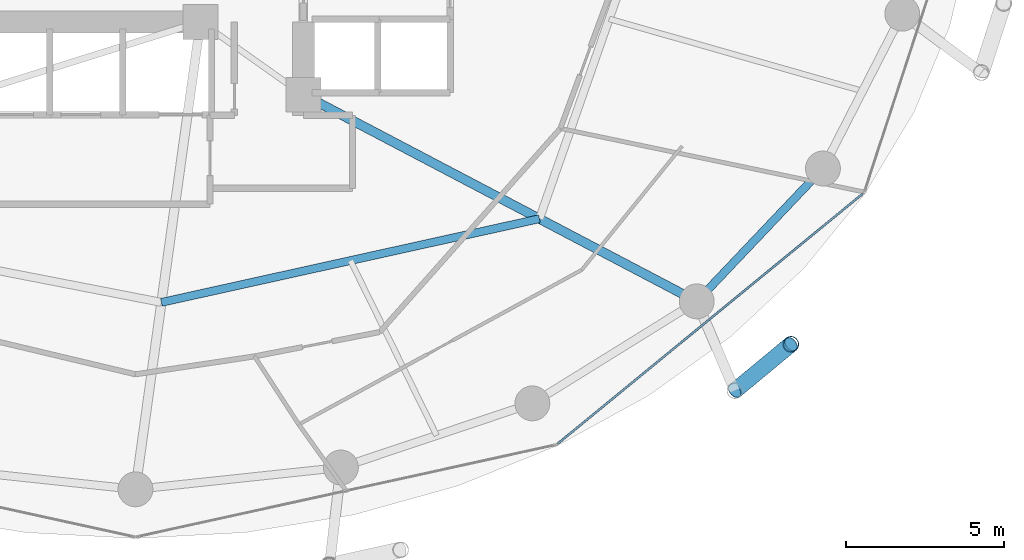
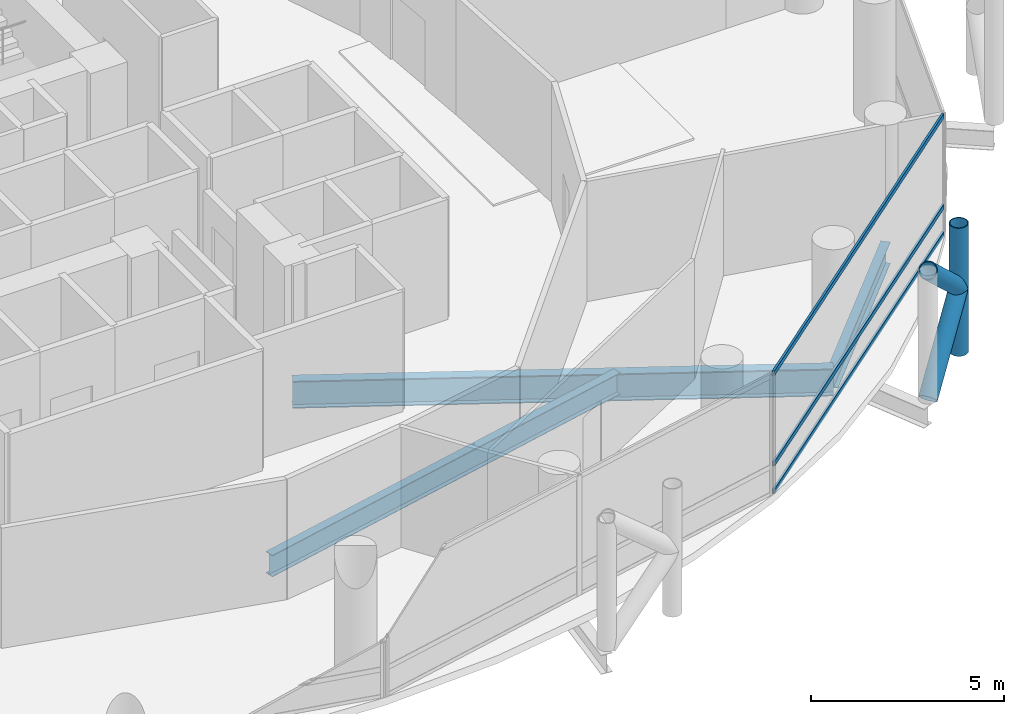
# One storey, part 9 of 24: 6 members, 3 beams, 1 element without a shape of its own.
"""IFC4 building model written with IfcOpenShell, lengths in metres."""

from ifc_helpers import new_model, si_unit, direction, frame, origin, origin_2d, place, context, subcontext, project, spatial, hollow_rectangle, hollow_circle, i_section, extrude, material, layer, layer_set, material_profile, profile_set, type_object, element, aggregate, save


model = new_model("IFC4")

# Units and contexts
model_context = context("Model", 3, precision=1e-05, world=origin(), true_north=direction((0.0, 1.0)))
body_context = subcontext(model_context, "Body", "Model", "MODEL_VIEW")
ifc_project = project(units=[si_unit("LENGTHUNIT", "METRE"), si_unit("AREAUNIT", "SQUARE_METRE"), si_unit("VOLUMEUNIT", "CUBIC_METRE"), si_unit("PLANEANGLEUNIT", "RADIAN"), si_unit("MASSUNIT", "GRAM", prefix="KILO")], contexts=[model_context])

# Site, building, storey
site_placement = place(None, origin())
site = spatial("IfcSite", under=ifc_project, at=site_placement, CompositionType="ELEMENT")
building_placement = place(site_placement, origin())
building = spatial("IfcBuilding", under=site, at=building_placement, Name="Nuhasar Tower", CompositionType="ELEMENT")
storey_placement = place(building_placement, frame((0.0, 0.0, 85.800048828125)))
storey = spatial("IfcBuildingStorey", under=building, at=storey_placement, Name="L20", CompositionType="ELEMENT", Elevation=85.800048828125)

# Beams
ifc_material_1 = material(Name="Steel S355", Category="steel")
ifc_material_profile_1 = material_profile(ifc_material_1, i_section(OverallWidth=0.25390625, OverallDepth=0.68408203125, WebThickness=0.012451171875, FlangeThickness=0.018798828125, at=origin_2d()), Name="W27X94")
ifc_profile_set_1 = profile_set([ifc_material_profile_1], Name="Steel S355")
beam_type_1 = type_object("IfcBeamType", Name="BM-INRING-W27X94", PredefinedType="BEAM", material=ifc_profile_set_1)
beam_1_placement = place(storey_placement, frame((39.820068359375, 12.449951171875, -0.592041015625), z_axis=(0.976386023343, 0.216033176665, 0.0), x_axis=(-0.216033176665, 0.976386023343, 0.0)))
element("IfcBeam", 1, at=beam_1_placement, inside=storey, type_object=beam_type_1, Name="L20 Inner Header Beam 02", PredefinedType="BEAM", context=body_context, shape_type="SweptSolid", body=[
    extrude(i_section(OverallWidth=0.25390625, OverallDepth=0.68408203125, WebThickness=0.012451171875, FlangeThickness=0.018798828125, at=origin_2d()), origin(), (0.0, 0.0, 1.0), 12.216552734375),
])
ifc_material_profile_2 = material_profile(ifc_material_1, i_section(OverallWidth=0.2919921875, OverallDepth=0.85888671875, WebThickness=0.01708984375, FlangeThickness=0.031005859375, at=origin_2d()), Name="W33X169")
ifc_profile_set_2 = profile_set([ifc_material_profile_2], Name="Steel S355")
beam_type_2 = type_object("IfcBeamType", Name="BM-POD-W33X169", PredefinedType="BEAM", material=ifc_profile_set_2)
beam_2_placement = place(storey_placement, frame((44.300048828125, 19.0, -0.679931640625), z_axis=(0.885330348705, -0.464962550816, 0.0), x_axis=(0.464962550816, 0.885330348705, 0.0)))
element("IfcBeam", 2, at=beam_2_placement, inside=storey, type_object=beam_type_2, Name="L20 Radial Floor Girder 03", PredefinedType="BEAM", context=body_context, shape_type="SweptSolid", body=[
    extrude(i_section(OverallWidth=0.2919921875, OverallDepth=0.85888671875, WebThickness=0.01708984375, FlangeThickness=0.031005859375, at=origin_2d()), origin(), (0.0, 0.0, 1.0), 14.0205078125),
])
ifc_material_profile_3 = material_profile(ifc_material_1, i_section(OverallWidth=0.256103515625, OverallDepth=0.693115234375, WebThickness=0.014404296875, FlangeThickness=0.023681640625, at=origin_2d()), Name="W27X114")
ifc_profile_set_3 = profile_set([ifc_material_profile_3], Name="Steel S355")
beam_type_3 = type_object("IfcBeamType", Name="BM-RING-W27X114", PredefinedType="SPANDREL", material=ifc_profile_set_3)
beam_3_placement = place(storey_placement, frame((56.712890625, 12.48095703125, -0.59716796875), z_axis=(0.688459812429, 0.725274490569, 0.0), x_axis=(-0.725274490569, 0.688459812429, 0.0)))
element("IfcBeam", 3, at=beam_3_placement, inside=storey, type_object=beam_type_3, Name="L20 Perimeter Ring Spandrel 22", PredefinedType="SPANDREL", context=body_context, shape_type="SweptSolid", body=[
    extrude(i_section(OverallWidth=0.256103515625, OverallDepth=0.693115234375, WebThickness=0.014404296875, FlangeThickness=0.023681640625, at=origin_2d()), origin(), (0.0, 0.0, 1.0), 5.78271484375),
])

# Curtain wall, members
ifc_material_2 = material(Name="Aluminium 6063-T6", Category="aluminium")
ifc_layer = layer(ifc_material_2, 0.199951171875)
ifc_layer_set = layer_set([ifc_layer], Name="Aluminium 6063-T6")
curtain_wall_type = type_object("IfcCurtainWallType", Name="CW-Z1-OFF", PredefinedType="NOTDEFINED", material=ifc_layer_set)
curtain_wall_placement = place(storey_placement, origin())
curtain_wall = element("IfcCurtainWall", 4, at=curtain_wall_placement, inside=storey, type_object=curtain_wall_type, Name="L20 Unitised Curtain Wall 11", PredefinedType="NOTDEFINED")
ifc_material_profile_4 = material_profile(ifc_material_2, hollow_rectangle(XDim=0.06494140625, YDim=0.14990234375, WallThickness=0.00439453125, at=origin_2d()), Name="CWT-2")
ifc_profile_set_4 = profile_set([ifc_material_profile_4], Name="Aluminium 6063-T6")
member_type_1 = type_object("IfcMemberType", Name="CW-TRN-S2", PredefinedType="USERDEFINED", material=ifc_profile_set_4)
member_1_placement = place(storey_placement, frame((52.330322265625, 7.99609375, 0.032470703125), z_axis=(0.773531229158, 0.633758185365, 0.0), x_axis=(-0.633758185365, 0.773531229158, 0.0)))
member_1 = element("IfcMember", 5, at=member_1_placement, type_object=member_type_1, Name="CW-Z1 transom 1.1", ObjectType="TRANSOM", PredefinedType="USERDEFINED", context=body_context, shape_type="SweptSolid", body=[
    extrude(hollow_rectangle(XDim=0.06494140625, YDim=0.14990234375, WallThickness=0.00439453125, at=origin_2d()), origin(), (0.0, 0.0, 1.0), 12.438232421875),
])
member_2_placement = place(storey_placement, frame((52.330322265625, 7.99609375, 0.89990234375), z_axis=(0.773531229158, 0.633758185365, 0.0), x_axis=(-0.633758185365, 0.773531229158, 0.0)))
member_2 = element("IfcMember", 6, at=member_2_placement, type_object=member_type_1, Name="CW-Z1 transom 1.2", ObjectType="TRANSOM", PredefinedType="USERDEFINED", context=body_context, shape_type="SweptSolid", body=[
    extrude(hollow_rectangle(XDim=0.06494140625, YDim=0.14990234375, WallThickness=0.00439453125, at=origin_2d()), origin(), (0.0, 0.0, 1.0), 12.438232421875),
])
member_3_placement = place(storey_placement, frame((52.330322265625, 7.99609375, 3.767333984375), z_axis=(0.773531229158, 0.633758185365, 0.0), x_axis=(-0.633758185365, 0.773531229158, 0.0)))
member_3 = element("IfcMember", 7, at=member_3_placement, type_object=member_type_1, Name="CW-Z1 transom 1.3", ObjectType="TRANSOM", PredefinedType="USERDEFINED", context=body_context, shape_type="SweptSolid", body=[
    extrude(hollow_rectangle(XDim=0.06494140625, YDim=0.14990234375, WallThickness=0.00439453125, at=origin_2d()), origin(), (0.0, 0.0, 1.0), 12.438232421875),
])
aggregate(curtain_wall, [member_1, member_2, member_3])

# Members
ifc_material_3 = material(Name="Steel S460", Category="steel")
ifc_material_profile_5 = material_profile(ifc_material_3, hollow_circle(Radius=0.25390625, WallThickness=0.025390625, at=origin_2d()), Name="HSS508X25.4")
ifc_profile_set_5 = profile_set([ifc_material_profile_5], Name="Steel S460")
member_type_2 = type_object("IfcMemberType", Name="EXO-BRONZE-508", PredefinedType="BRACE", material=ifc_profile_set_5)
member_4_placement = place(storey_placement, frame((59.68505859375, 11.12890625, 0.0), z_axis=(0.0, 0.0, 1.0), x_axis=(1.0, 0.0, 0.0)))
element("IfcMember", 8, at=member_4_placement, inside=storey, type_object=member_type_2, Name="L20 Exoskeleton Chord Column EC-11B", PredefinedType="BRACE", context=body_context, shape_type="SweptSolid", body=[
    extrude(hollow_circle(Radius=0.25390625, WallThickness=0.025390625, at=origin_2d()), origin(), (0.0, 0.0, 1.0), 4.050048828125),
])
member_5_placement = place(storey_placement, frame((57.9130859375, 9.660888671875, 0.0), z_axis=(0.578101613167, 0.478937034992, 0.660619286251), x_axis=(-0.637969333506, 0.770061769929, 0.0)))
element("IfcMember", 9, at=member_5_placement, inside=storey, type_object=member_type_2, Name="L20 Bronze Diagrid Brace W1-11", PredefinedType="BRACE", context=body_context, shape_type="SweptSolid", body=[
    extrude(hollow_circle(Radius=0.25390625, WallThickness=0.025390625, at=origin_2d()), origin(), (0.0, 0.0, 1.0), 3.065185546875),
])
member_6_placement = place(storey_placement, frame((59.68505859375, 11.12890625, 2.02490234375), z_axis=(-0.578071194894, -0.478911834514, 0.660664172175), x_axis=(0.637969333506, -0.770061769929, 0.0)))
element("IfcMember", 10, at=member_6_placement, inside=storey, type_object=member_type_2, Name="L20 Bronze Diagrid Brace W2-11", PredefinedType="BRACE", context=body_context, shape_type="SweptSolid", body=[
    extrude(hollow_circle(Radius=0.25390625, WallThickness=0.025390625, at=origin_2d()), origin(), (0.0, 0.0, 1.0), 3.0654296875),
])

save(model, "model.ifc")
